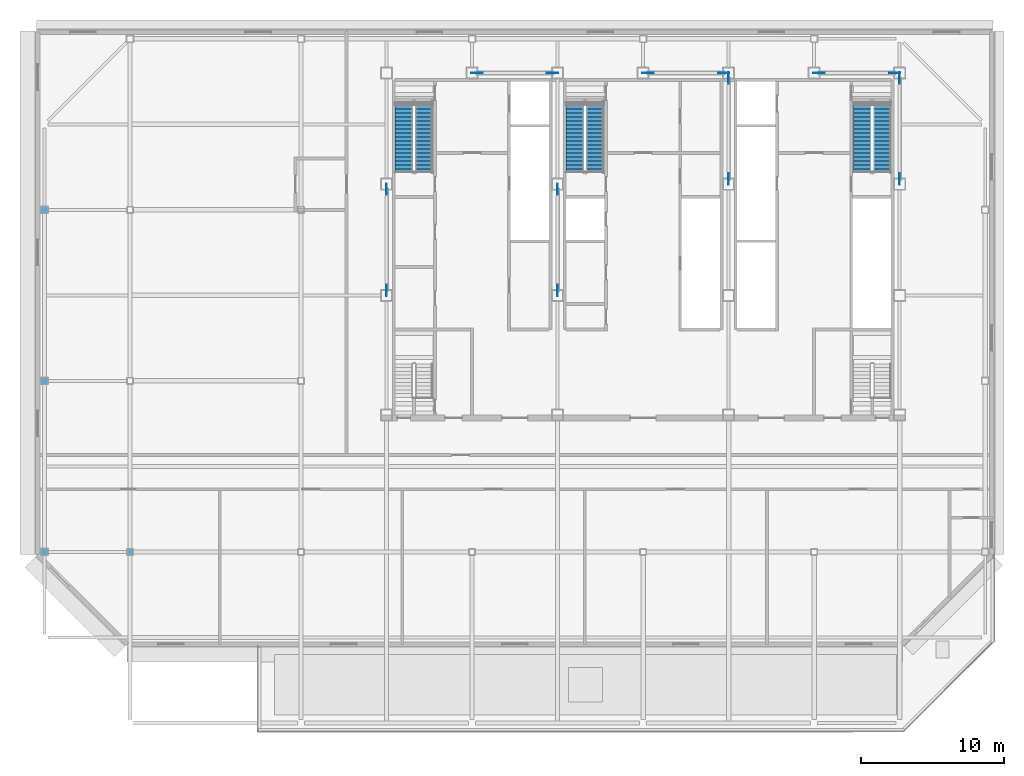
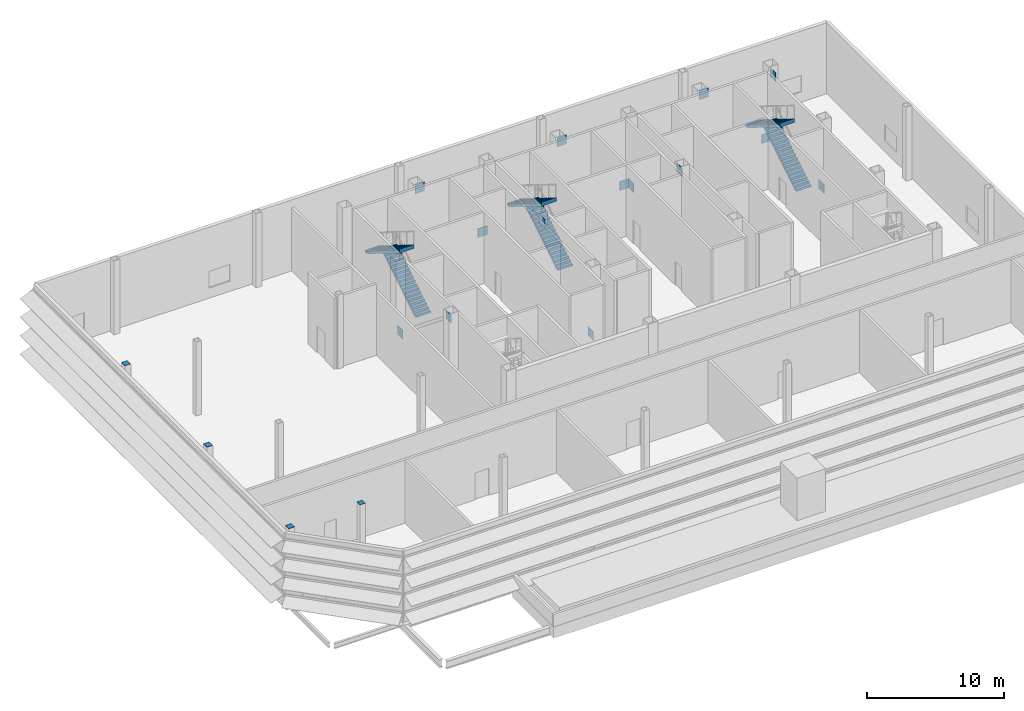
# One storey, part 10 of 14: 18 discrete accessories, 6 stair flights, 3 elements without a shape of their own.
"""IFC4 building model written with IfcOpenShell, lengths in metres."""

from ifc_helpers import new_model, si_unit, direction, frame, origin, origin_2d, place, context, subcontext, project, spatial, polyline, rectangle, outline, extrude, material, layer, layer_set, type_object, element, aggregate, save


model = new_model("IFC4")

# Units and contexts
model_context = context("Model", 3, precision=1e-05, world=origin(), true_north=direction((0.0, 1.0)))
body_context = subcontext(model_context, "Body", "Model", "MODEL_VIEW")
ifc_project = project(units=[si_unit("LENGTHUNIT", "METRE"), si_unit("AREAUNIT", "SQUARE_METRE"), si_unit("VOLUMEUNIT", "CUBIC_METRE"), si_unit("PLANEANGLEUNIT", "RADIAN"), si_unit("MASSUNIT", "GRAM", prefix="KILO")], contexts=[model_context])

# Site, building, storey
site_placement = place(None, origin())
site = spatial("IfcSite", under=ifc_project, at=site_placement, CompositionType="ELEMENT")
building_placement = place(site_placement, origin())
building = spatial("IfcBuilding", under=site, at=building_placement, Name="Sorahane Residences", CompositionType="ELEMENT")
storey_placement = place(building_placement, frame((0.0, 0.0, 331.199951171875)))
storey = spatial("IfcBuildingStorey", under=building, at=storey_placement, Name="L79", CompositionType="ELEMENT", Elevation=331.199951171875)

# Stair, stair flights
ifc_material_1 = material(Name="Concrete C40", Category="concrete")
stair_type = type_object("IfcStairType", Name="Dog-leg stair 1250 Concrete C40", PredefinedType="HALF_TURN_STAIR", material=ifc_material_1)
stair_1_placement = place(storey_placement, origin())
stair_1 = element("IfcStair", 1, at=stair_1_placement, inside=storey, type_object=stair_type, Name="L79 Stair S1", PredefinedType="HALF_TURN_STAIR")
ifc_material_2 = material(Name="Concrete C40", Category="concrete")
stair_flight_type = type_object("IfcStairFlightType", Name="Stair flight 1250 Concrete C40", PredefinedType="STRAIGHT", material=ifc_material_2)
stair_flight_1_placement = place(storey_placement, frame((8.625, 38.60009765625, 0.0), z_axis=(0.0, 0.0, 1.0), x_axis=(0.0, 1.0, 0.0)))
stair_flight_1 = element("IfcStairFlight", 2, at=stair_flight_1_placement, type_object=stair_flight_type, Name="S1 flight 1", NumberOfRisers=19, NumberOfTreads=18, PredefinedType="STRAIGHT", RiserHeight=0.173684211, TreadLength=0.28, context=body_context, shape_type="SweptSolid", body=[
    extrude(outline(polyline([(-0.00146484375, 0.0), (-0.00146484375, 0.173583984375), (0.0, 0.173583984375), (0.280029296875, 0.173583984375), (0.280029296875, 0.347412109375), (0.56005859375, 0.347412109375), (0.56005859375, 0.52099609375), (0.840087890625, 0.52099609375), (0.840087890625, 0.69482421875), (1.1201171875, 0.69482421875), (1.1201171875, 0.868408203125), (1.39990234375, 0.868408203125), (1.39990234375, 1.0419921875), (1.679931640625, 1.0419921875), (1.679931640625, 1.2158203125), (1.9599609375, 1.2158203125), (1.9599609375, 1.389404296875), (2.239990234375, 1.389404296875), (2.239990234375, 1.563232421875), (2.52001953125, 1.563232421875), (2.52001953125, 1.73681640625), (2.800048828125, 1.73681640625), (2.800048828125, 1.91064453125), (3.080078125, 1.91064453125), (3.080078125, 2.084228515625), (3.360107421875, 2.084228515625), (3.360107421875, 2.2578125), (3.639892578125, 2.2578125), (3.639892578125, 2.431640625), (3.919921875, 2.431640625), (3.919921875, 2.605224609375), (4.199951171875, 2.605224609375), (4.199951171875, 2.779052734375), (4.47998046875, 2.779052734375), (4.47998046875, 2.95263671875), (4.760009765625, 2.95263671875), (4.760009765625, 3.126220703125), (5.0400390625, 3.126220703125), (5.0400390625, 3.300048828125), (5.0400390625, 2.949951171875), (4.80224609375, 2.802490234375), (4.564453125, 2.655029296875), (4.32666015625, 2.50732421875), (4.0888671875, 2.35986328125), (3.85107421875, 2.21240234375), (3.61328125, 2.06494140625), (3.37548828125, 1.91748046875), (3.1376953125, 1.77001953125), (2.89990234375, 1.62255859375), (2.662109375, 1.474853515625), (2.42431640625, 1.327392578125), (2.1865234375, 1.179931640625), (1.94873046875, 1.032470703125), (1.711181640625, 0.885009765625), (1.473388671875, 0.737548828125), (1.235595703125, 0.590087890625), (0.997802734375, 0.4423828125), (0.760009765625, 0.294921875), (0.522216796875, 0.1474609375), (0.284423828125, 0.0), (-0.00146484375, 0.0)])), frame((0.0, 0.625, 0.0), z_axis=(0.0, -1.0, 0.0), x_axis=(1.0, 0.0, 0.0)), (0.0, 0.0, 1.0), 1.25),
])
stair_flight_2_placement = place(storey_placement, frame((7.22509765625, 43.639892578125, 3.300048828125), z_axis=(0.0, 0.0, 1.0), x_axis=(0.0, -1.0, 0.0)))
stair_flight_2 = element("IfcStairFlight", 3, at=stair_flight_2_placement, type_object=stair_flight_type, Name="S1 flight 2", NumberOfRisers=19, NumberOfTreads=18, PredefinedType="STRAIGHT", RiserHeight=0.173684211, TreadLength=0.28, context=body_context, shape_type="SweptSolid", body=[
    extrude(outline(polyline([(0.0, 0.0), (0.0, 0.173583984375), (0.280029296875, 0.173583984375), (0.280029296875, 0.347412109375), (0.56005859375, 0.347412109375), (0.56005859375, 0.52099609375), (0.840087890625, 0.52099609375), (0.840087890625, 0.69482421875), (1.1201171875, 0.69482421875), (1.1201171875, 0.868408203125), (1.39990234375, 0.868408203125), (1.39990234375, 1.0419921875), (1.679931640625, 1.0419921875), (1.679931640625, 1.2158203125), (1.9599609375, 1.2158203125), (1.9599609375, 1.389404296875), (2.239990234375, 1.389404296875), (2.239990234375, 1.563232421875), (2.52001953125, 1.563232421875), (2.52001953125, 1.73681640625), (2.800048828125, 1.73681640625), (2.800048828125, 1.91064453125), (3.080078125, 1.91064453125), (3.080078125, 2.084228515625), (3.360107421875, 2.084228515625), (3.360107421875, 2.2578125), (3.639892578125, 2.2578125), (3.639892578125, 2.431640625), (3.919921875, 2.431640625), (3.919921875, 2.605224609375), (4.199951171875, 2.605224609375), (4.199951171875, 2.779052734375), (4.47998046875, 2.779052734375), (4.47998046875, 2.95263671875), (4.760009765625, 2.95263671875), (4.760009765625, 3.126220703125), (5.0400390625, 3.126220703125), (5.0400390625, 3.300048828125), (5.04150390625, 3.300048828125), (5.04150390625, 2.949951171875), (4.8037109375, 2.802490234375), (4.565673828125, 2.655029296875), (4.327880859375, 2.50732421875), (4.090087890625, 2.35986328125), (3.852294921875, 2.21240234375), (3.6142578125, 2.06494140625), (3.37646484375, 1.91748046875), (3.138671875, 1.77001953125), (2.90087890625, 1.62255859375), (2.662841796875, 1.474853515625), (2.425048828125, 1.327392578125), (2.187255859375, 1.179931640625), (1.949462890625, 1.032470703125), (1.71142578125, 0.885009765625), (1.4736328125, 0.737548828125), (1.23583984375, 0.590087890625), (0.998046875, 0.4423828125), (0.760009765625, 0.294921875), (0.522216796875, 0.1474609375), (0.284423828125, 0.0), (0.0, 0.0)])), frame((0.0, 0.625, 0.0), z_axis=(0.0, -1.0, 0.0), x_axis=(1.0, 0.0, 0.0)), (0.0, 0.0, 1.0), 1.25),
])
aggregate(stair_1, [stair_flight_1, stair_flight_2])

stair_2_placement = place(storey_placement, origin())
stair_2 = element("IfcStair", 4, at=stair_2_placement, inside=storey, type_object=stair_type, Name="L79 Stair S2", PredefinedType="HALF_TURN_STAIR")
stair_flight_3_placement = place(storey_placement, frame((40.77490234375, 38.60009765625, 0.0), z_axis=(0.0, 0.0, 1.0), x_axis=(0.0, 1.0, 0.0)))
stair_flight_3 = element("IfcStairFlight", 5, at=stair_flight_3_placement, type_object=stair_flight_type, Name="S2 flight 1", NumberOfRisers=19, NumberOfTreads=18, PredefinedType="STRAIGHT", RiserHeight=0.173684211, TreadLength=0.28, context=body_context, shape_type="SweptSolid", body=[
    extrude(outline(polyline([(-0.00146484375, 0.0), (-0.00146484375, 0.173583984375), (0.0, 0.173583984375), (0.280029296875, 0.173583984375), (0.280029296875, 0.347412109375), (0.56005859375, 0.347412109375), (0.56005859375, 0.52099609375), (0.840087890625, 0.52099609375), (0.840087890625, 0.69482421875), (1.1201171875, 0.69482421875), (1.1201171875, 0.868408203125), (1.39990234375, 0.868408203125), (1.39990234375, 1.0419921875), (1.679931640625, 1.0419921875), (1.679931640625, 1.2158203125), (1.9599609375, 1.2158203125), (1.9599609375, 1.389404296875), (2.239990234375, 1.389404296875), (2.239990234375, 1.563232421875), (2.52001953125, 1.563232421875), (2.52001953125, 1.73681640625), (2.800048828125, 1.73681640625), (2.800048828125, 1.91064453125), (3.080078125, 1.91064453125), (3.080078125, 2.084228515625), (3.360107421875, 2.084228515625), (3.360107421875, 2.2578125), (3.639892578125, 2.2578125), (3.639892578125, 2.431640625), (3.919921875, 2.431640625), (3.919921875, 2.605224609375), (4.199951171875, 2.605224609375), (4.199951171875, 2.779052734375), (4.47998046875, 2.779052734375), (4.47998046875, 2.95263671875), (4.760009765625, 2.95263671875), (4.760009765625, 3.126220703125), (5.0400390625, 3.126220703125), (5.0400390625, 3.300048828125), (5.0400390625, 2.949951171875), (4.80224609375, 2.802490234375), (4.564453125, 2.655029296875), (4.32666015625, 2.50732421875), (4.0888671875, 2.35986328125), (3.85107421875, 2.21240234375), (3.61328125, 2.06494140625), (3.37548828125, 1.91748046875), (3.1376953125, 1.77001953125), (2.89990234375, 1.62255859375), (2.662109375, 1.474853515625), (2.42431640625, 1.327392578125), (2.1865234375, 1.179931640625), (1.94873046875, 1.032470703125), (1.711181640625, 0.885009765625), (1.473388671875, 0.737548828125), (1.235595703125, 0.590087890625), (0.997802734375, 0.4423828125), (0.760009765625, 0.294921875), (0.522216796875, 0.1474609375), (0.284423828125, 0.0), (-0.00146484375, 0.0)])), frame((0.0, 0.625, 0.0), z_axis=(0.0, -1.0, 0.0), x_axis=(1.0, 0.0, 0.0)), (0.0, 0.0, 1.0), 1.25),
])
stair_flight_4_placement = place(storey_placement, frame((39.375, 43.639892578125, 3.300048828125), z_axis=(0.0, 0.0, 1.0), x_axis=(0.0, -1.0, 0.0)))
stair_flight_4 = element("IfcStairFlight", 6, at=stair_flight_4_placement, type_object=stair_flight_type, Name="S2 flight 2", NumberOfRisers=19, NumberOfTreads=18, PredefinedType="STRAIGHT", RiserHeight=0.173684211, TreadLength=0.28, context=body_context, shape_type="SweptSolid", body=[
    extrude(outline(polyline([(0.0, 0.0), (0.0, 0.173583984375), (0.280029296875, 0.173583984375), (0.280029296875, 0.347412109375), (0.56005859375, 0.347412109375), (0.56005859375, 0.52099609375), (0.840087890625, 0.52099609375), (0.840087890625, 0.69482421875), (1.1201171875, 0.69482421875), (1.1201171875, 0.868408203125), (1.39990234375, 0.868408203125), (1.39990234375, 1.0419921875), (1.679931640625, 1.0419921875), (1.679931640625, 1.2158203125), (1.9599609375, 1.2158203125), (1.9599609375, 1.389404296875), (2.239990234375, 1.389404296875), (2.239990234375, 1.563232421875), (2.52001953125, 1.563232421875), (2.52001953125, 1.73681640625), (2.800048828125, 1.73681640625), (2.800048828125, 1.91064453125), (3.080078125, 1.91064453125), (3.080078125, 2.084228515625), (3.360107421875, 2.084228515625), (3.360107421875, 2.2578125), (3.639892578125, 2.2578125), (3.639892578125, 2.431640625), (3.919921875, 2.431640625), (3.919921875, 2.605224609375), (4.199951171875, 2.605224609375), (4.199951171875, 2.779052734375), (4.47998046875, 2.779052734375), (4.47998046875, 2.95263671875), (4.760009765625, 2.95263671875), (4.760009765625, 3.126220703125), (5.0400390625, 3.126220703125), (5.0400390625, 3.300048828125), (5.04150390625, 3.300048828125), (5.04150390625, 2.949951171875), (4.8037109375, 2.802490234375), (4.565673828125, 2.655029296875), (4.327880859375, 2.50732421875), (4.090087890625, 2.35986328125), (3.852294921875, 2.21240234375), (3.6142578125, 2.06494140625), (3.37646484375, 1.91748046875), (3.138671875, 1.77001953125), (2.90087890625, 1.62255859375), (2.662841796875, 1.474853515625), (2.425048828125, 1.327392578125), (2.187255859375, 1.179931640625), (1.949462890625, 1.032470703125), (1.71142578125, 0.885009765625), (1.4736328125, 0.737548828125), (1.23583984375, 0.590087890625), (0.998046875, 0.4423828125), (0.760009765625, 0.294921875), (0.522216796875, 0.1474609375), (0.284423828125, 0.0), (0.0, 0.0)])), frame((0.0, 0.625, 0.0), z_axis=(0.0, -1.0, 0.0), x_axis=(1.0, 0.0, 0.0)), (0.0, 0.0, 1.0), 1.25),
])
aggregate(stair_2, [stair_flight_3, stair_flight_4])

stair_3_placement = place(storey_placement, origin())
stair_3 = element("IfcStair", 7, at=stair_3_placement, inside=storey, type_object=stair_type, Name="L79 Stair S3", PredefinedType="HALF_TURN_STAIR")
stair_flight_5_placement = place(storey_placement, frame((20.625, 38.60009765625, 0.0), z_axis=(0.0, 0.0, 1.0), x_axis=(0.0, 1.0, 0.0)))
stair_flight_5 = element("IfcStairFlight", 8, at=stair_flight_5_placement, type_object=stair_flight_type, Name="S3 flight 1", NumberOfRisers=19, NumberOfTreads=18, PredefinedType="STRAIGHT", RiserHeight=0.173684211, TreadLength=0.28, context=body_context, shape_type="SweptSolid", body=[
    extrude(outline(polyline([(-0.00146484375, 0.0), (-0.00146484375, 0.173583984375), (0.0, 0.173583984375), (0.280029296875, 0.173583984375), (0.280029296875, 0.347412109375), (0.56005859375, 0.347412109375), (0.56005859375, 0.52099609375), (0.840087890625, 0.52099609375), (0.840087890625, 0.69482421875), (1.1201171875, 0.69482421875), (1.1201171875, 0.868408203125), (1.39990234375, 0.868408203125), (1.39990234375, 1.0419921875), (1.679931640625, 1.0419921875), (1.679931640625, 1.2158203125), (1.9599609375, 1.2158203125), (1.9599609375, 1.389404296875), (2.239990234375, 1.389404296875), (2.239990234375, 1.563232421875), (2.52001953125, 1.563232421875), (2.52001953125, 1.73681640625), (2.800048828125, 1.73681640625), (2.800048828125, 1.91064453125), (3.080078125, 1.91064453125), (3.080078125, 2.084228515625), (3.360107421875, 2.084228515625), (3.360107421875, 2.2578125), (3.639892578125, 2.2578125), (3.639892578125, 2.431640625), (3.919921875, 2.431640625), (3.919921875, 2.605224609375), (4.199951171875, 2.605224609375), (4.199951171875, 2.779052734375), (4.47998046875, 2.779052734375), (4.47998046875, 2.95263671875), (4.760009765625, 2.95263671875), (4.760009765625, 3.126220703125), (5.0400390625, 3.126220703125), (5.0400390625, 3.300048828125), (5.0400390625, 2.949951171875), (4.80224609375, 2.802490234375), (4.564453125, 2.655029296875), (4.32666015625, 2.50732421875), (4.0888671875, 2.35986328125), (3.85107421875, 2.21240234375), (3.61328125, 2.06494140625), (3.37548828125, 1.91748046875), (3.1376953125, 1.77001953125), (2.89990234375, 1.62255859375), (2.662109375, 1.474853515625), (2.42431640625, 1.327392578125), (2.1865234375, 1.179931640625), (1.94873046875, 1.032470703125), (1.711181640625, 0.885009765625), (1.473388671875, 0.737548828125), (1.235595703125, 0.590087890625), (0.997802734375, 0.4423828125), (0.760009765625, 0.294921875), (0.522216796875, 0.1474609375), (0.284423828125, 0.0), (-0.00146484375, 0.0)])), frame((0.0, 0.625, 0.0), z_axis=(0.0, -1.0, 0.0), x_axis=(1.0, 0.0, 0.0)), (0.0, 0.0, 1.0), 1.25),
])
stair_flight_6_placement = place(storey_placement, frame((19.22509765625, 43.639892578125, 3.300048828125), z_axis=(0.0, 0.0, 1.0), x_axis=(0.0, -1.0, 0.0)))
stair_flight_6 = element("IfcStairFlight", 9, at=stair_flight_6_placement, type_object=stair_flight_type, Name="S3 flight 2", NumberOfRisers=19, NumberOfTreads=18, PredefinedType="STRAIGHT", RiserHeight=0.173684211, TreadLength=0.28, context=body_context, shape_type="SweptSolid", body=[
    extrude(outline(polyline([(0.0, 0.0), (0.0, 0.173583984375), (0.280029296875, 0.173583984375), (0.280029296875, 0.347412109375), (0.56005859375, 0.347412109375), (0.56005859375, 0.52099609375), (0.840087890625, 0.52099609375), (0.840087890625, 0.69482421875), (1.1201171875, 0.69482421875), (1.1201171875, 0.868408203125), (1.39990234375, 0.868408203125), (1.39990234375, 1.0419921875), (1.679931640625, 1.0419921875), (1.679931640625, 1.2158203125), (1.9599609375, 1.2158203125), (1.9599609375, 1.389404296875), (2.239990234375, 1.389404296875), (2.239990234375, 1.563232421875), (2.52001953125, 1.563232421875), (2.52001953125, 1.73681640625), (2.800048828125, 1.73681640625), (2.800048828125, 1.91064453125), (3.080078125, 1.91064453125), (3.080078125, 2.084228515625), (3.360107421875, 2.084228515625), (3.360107421875, 2.2578125), (3.639892578125, 2.2578125), (3.639892578125, 2.431640625), (3.919921875, 2.431640625), (3.919921875, 2.605224609375), (4.199951171875, 2.605224609375), (4.199951171875, 2.779052734375), (4.47998046875, 2.779052734375), (4.47998046875, 2.95263671875), (4.760009765625, 2.95263671875), (4.760009765625, 3.126220703125), (5.0400390625, 3.126220703125), (5.0400390625, 3.300048828125), (5.04150390625, 3.300048828125), (5.04150390625, 2.949951171875), (4.8037109375, 2.802490234375), (4.565673828125, 2.655029296875), (4.327880859375, 2.50732421875), (4.090087890625, 2.35986328125), (3.852294921875, 2.21240234375), (3.6142578125, 2.06494140625), (3.37646484375, 1.91748046875), (3.138671875, 1.77001953125), (2.90087890625, 1.62255859375), (2.662841796875, 1.474853515625), (2.425048828125, 1.327392578125), (2.187255859375, 1.179931640625), (1.949462890625, 1.032470703125), (1.71142578125, 0.885009765625), (1.4736328125, 0.737548828125), (1.23583984375, 0.590087890625), (0.998046875, 0.4423828125), (0.760009765625, 0.294921875), (0.522216796875, 0.1474609375), (0.284423828125, 0.0), (0.0, 0.0)])), frame((0.0, 0.625, 0.0), z_axis=(0.0, -1.0, 0.0), x_axis=(1.0, 0.0, 0.0)), (0.0, 0.0, 1.0), 1.25),
])
aggregate(stair_3, [stair_flight_5, stair_flight_6])

# Discrete accessories
ifc_material_3 = material(Name="Steel Q355B", Category="steel")
ifc_layer_1 = layer(ifc_material_3, 0.02001953125)
ifc_layer_set_1 = layer_set([ifc_layer_1], Name="End plate Steel Q355B 450x450x20")
discrete_accessory_type_1 = type_object("IfcDiscreteAccessoryType", Name="End plate Steel Q355B 450x450x20", PredefinedType="USERDEFINED", material=ifc_layer_set_1)
discrete_accessory_placement = place(storey_placement, frame((-12.0, 12.0, 6.60009765625), z_axis=(0.0, 0.0, 1.0), x_axis=(1.0, 0.0, 0.0)))
element("IfcDiscreteAccessory", 10, at=discrete_accessory_placement, inside=storey, type_object=discrete_accessory_type_1, Name="End plate L79", ObjectType="END PLATE", PredefinedType="USERDEFINED", context=body_context, shape_type="SweptSolid", body=[
    extrude(rectangle(XDim=0.449951171875, YDim=0.449951171875, at=origin_2d()), origin(), (0.0, 0.0, 1.0), 0.02001953125),
])
ifc_material_4 = material(Name="Steel Q355B", Category="steel")
ifc_layer_2 = layer(ifc_material_4, 0.02001953125)
ifc_layer_set_2 = layer_set([ifc_layer_2], Name="End plate Steel Q355B 500x500x20")
discrete_accessory_type_2 = type_object("IfcDiscreteAccessoryType", Name="End plate Steel Q355B 500x500x20", PredefinedType="USERDEFINED", material=ifc_layer_set_2)
for number, where, z_axis, x_axis, name in (
    (11, (-18.0, 12.0, 6.60009765625), (0.0, 0.0, 1.0), (1.0, 0.0, 0.0), "End plate L79"),
    (12, (-18.0, 24.0, 6.60009765625), (0.0, 0.0, 1.0), (1.0, 0.0, 0.0), "End plate L79"),
    (13, (-18.0, 36.0, 6.60009765625), (0.0, 0.0, 1.0), (1.0, 0.0, 0.0), "End plate L79"),
):
    element("IfcDiscreteAccessory", number, at=place(storey_placement, frame(where, z_axis=z_axis, x_axis=x_axis)), inside=storey, type_object=discrete_accessory_type_2, Name=name, ObjectType="END PLATE", PredefinedType="USERDEFINED", context=body_context, shape_type="SweptSolid", body=[
        extrude(rectangle(XDim=0.5, YDim=0.5, at=origin_2d()), origin(), (0.0, 0.0, 1.0), 0.02001953125),
    ])
ifc_material_5 = material(Name="Steel Q355B", Category="steel")
ifc_layer_3 = layer(ifc_material_5, 0.02490234375)
ifc_layer_set_3 = layer_set([ifc_layer_3], Name="Node plate Steel Q355B 25")
discrete_accessory_type_3 = type_object("IfcDiscreteAccessoryType", Name="Node plate Steel Q355B 25", PredefinedType="BRACKET", material=ifc_layer_set_3)
for number, where, z_axis, x_axis, name in (
    (14, (6.0, 37.447021484375, -0.31298828125), (0.0, 0.0, 1.0), (0.0, 1.0, 0.0), "Node plate L79 br"),
    (15, (6.0, 30.352783203125, 5.4130859375), (0.0, 0.0, 1.0), (0.0, 1.0, 0.0), "Node plate L79 br"),
    (16, (18.0, 30.352783203125, -0.31298828125), (0.0, 0.0, 1.0), (0.0, 1.0, 0.0), "Node plate L79 br"),
    (17, (18.0, 37.447021484375, 5.4130859375), (0.0, 0.0, 1.0), (0.0, 1.0, 0.0), "Node plate L79 br"),
    (18, (30.0, 45.2470703125, -0.31298828125), (0.0, 0.0, 1.0), (0.0, 1.0, 0.0), "Node plate L79 br"),
    (19, (30.0, 38.15283203125, 5.4130859375), (0.0, 0.0, 1.0), (0.0, 1.0, 0.0), "Node plate L79 br"),
    (20, (42.0, 38.15283203125, -0.31298828125), (0.0, 0.0, 1.0), (0.0, 1.0, 0.0), "Node plate L79 br"),
    (21, (42.0, 45.2470703125, 5.4130859375), (0.0, 0.0, 1.0), (0.0, 1.0, 0.0), "Node plate L79 br"),
    (22, (17.6552734375, 45.60009765625, -0.3349609375), (0.0, 0.0, 1.0), (1.0, 0.0, 0.0), "Node plate L79 br"),
    (23, (29.6552734375, 45.60009765625, -0.3349609375), (0.0, 0.0, 1.0), (1.0, 0.0, 0.0), "Node plate L79 br"),
    (24, (41.6552734375, 45.60009765625, -0.3349609375), (0.0, 0.0, 1.0), (1.0, 0.0, 0.0), "Node plate L79 br"),
    (25, (12.3447265625, 45.60009765625, 5.43505859375), (0.0, 0.0, 1.0), (1.0, 0.0, 0.0), "Node plate L79 br"),
    (26, (24.3447265625, 45.60009765625, 5.43505859375), (0.0, 0.0, 1.0), (1.0, 0.0, 0.0), "Node plate L79 br"),
    (27, (36.3447265625, 45.60009765625, 5.43505859375), (0.0, 0.0, 1.0), (1.0, 0.0, 0.0), "Node plate L79 br"),
):
    element("IfcDiscreteAccessory", number, at=place(storey_placement, frame(where, z_axis=z_axis, x_axis=x_axis)), inside=storey, type_object=discrete_accessory_type_3, Name=name, PredefinedType="BRACKET", context=body_context, shape_type="SweptSolid", body=[
        extrude(rectangle(XDim=0.800048828125, YDim=0.02490234375, at=origin_2d()), origin(), (0.0, 0.0, 1.0), 0.800048828125),
    ])

save(model, "model.ifc")
